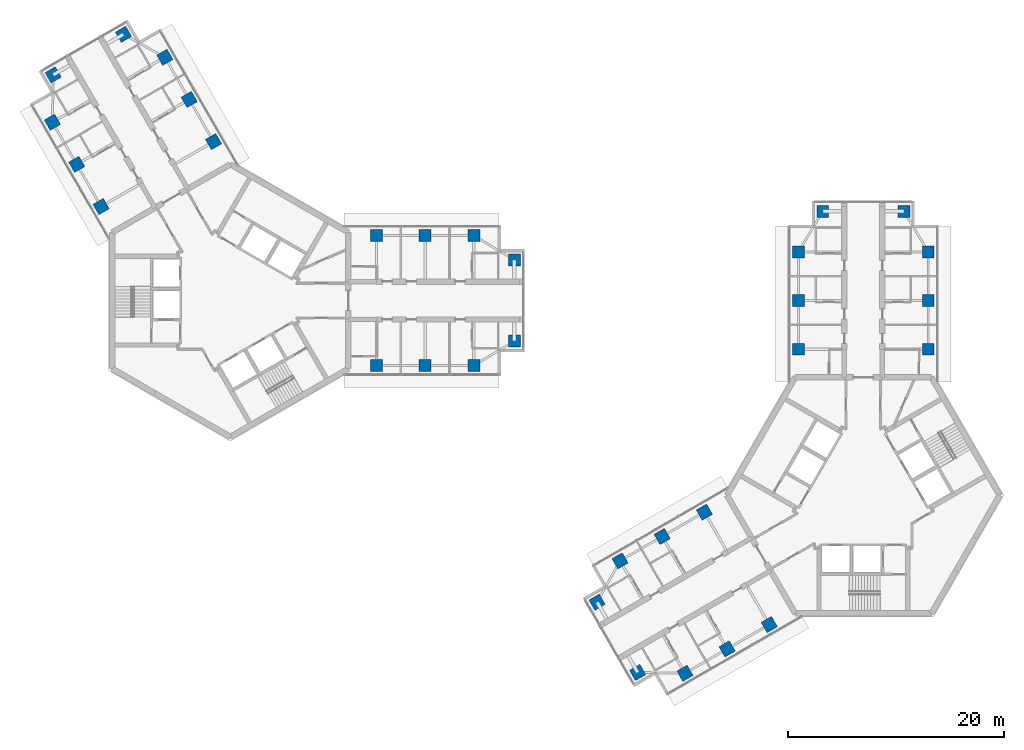
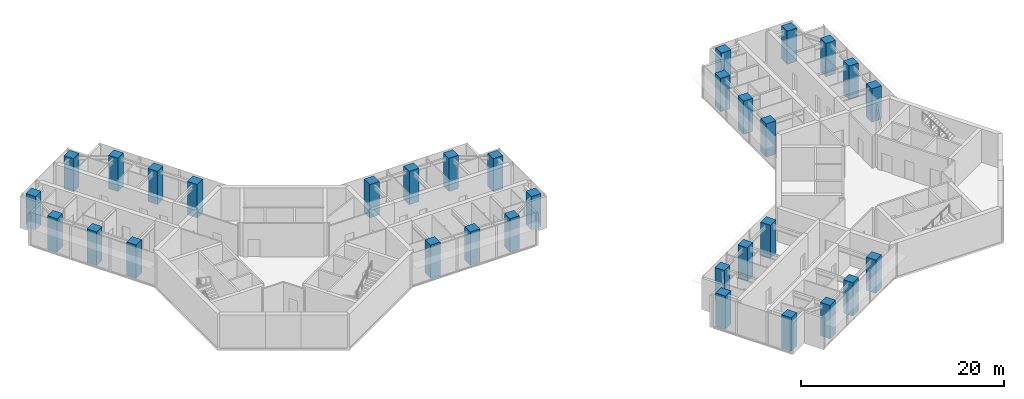
# One storey, part 1 of 18: 32 columns.
"""IFC4 building model written with IfcOpenShell, lengths in metres."""

from ifc_helpers import new_model, si_unit, direction, frame, origin, origin_2d, place, context, subcontext, project, spatial, rectangle, extrude, material, material_profile, profile_set, type_object, element, save


model = new_model("IFC4")

# Units and contexts
model_context = context("Model", 3, precision=1e-05, world=origin(), true_north=direction((0.0, 1.0)))
body_context = subcontext(model_context, "Body", "Model", "MODEL_VIEW")
ifc_project = project(units=[si_unit("LENGTHUNIT", "METRE"), si_unit("AREAUNIT", "SQUARE_METRE"), si_unit("VOLUMEUNIT", "CUBIC_METRE"), si_unit("PLANEANGLEUNIT", "RADIAN"), si_unit("MASSUNIT", "GRAM", prefix="KILO")], contexts=[model_context])

# Site, building, storey
site_placement = place(None, origin())
site = spatial("IfcSite", under=ifc_project, at=site_placement, CompositionType="ELEMENT")
building_placement = place(site_placement, origin())
building = spatial("IfcBuilding", under=site, at=building_placement, Name="Upepo Twin Towers", CompositionType="ELEMENT")
storey_placement = place(building_placement, frame((0.0, 0.0, 222.5)))
storey = spatial("IfcBuildingStorey", under=building, at=storey_placement, Name="L54", CompositionType="ELEMENT", Elevation=222.5)

# Columns
ifc_material = material(Name="Concrete C60/75", Category="concrete")
ifc_material_profile = material_profile(ifc_material, rectangle(XDim=1.10009765625, YDim=1.10009765625, at=origin_2d()), Name="RC 1100x1100")
ifc_profile_set = profile_set([ifc_material_profile], Name="Concrete C60/75")
column_type = type_object("IfcColumnType", Name="Tower column RC 1100x1100", PredefinedType="COLUMN", material=ifc_profile_set)
for number, where, z_axis, x_axis, name in (
    (1, (13.5, 6.0, 0.0), (0.0, 0.0, 1.0), (1.0, 0.0, 0.0), "T1 column AL135"),
    (2, (13.5, -6.0, 0.0), (0.0, 0.0, 1.0), (1.0, 0.0, 0.0), "T1 column AR135"),
    (3, (18.0, 6.0, 0.0), (0.0, 0.0, 1.0), (1.0, 0.0, 0.0), "T1 column AL180"),
    (4, (18.0, -6.0, 0.0), (0.0, 0.0, 1.0), (1.0, 0.0, 0.0), "T1 column AR180"),
    (5, (22.5, 6.0, 0.0), (0.0, 0.0, 1.0), (1.0, 0.0, 0.0), "T1 column AL225"),
    (6, (22.5, -6.0, 0.0), (0.0, 0.0, 1.0), (1.0, 0.0, 0.0), "T1 column AR225"),
    (7, (26.25, 3.75, 0.0), (0.0, 0.0, 1.0), (1.0, 0.0, 0.0), "T1 column ALN"),
    (8, (26.25, -3.75, 0.0), (0.0, 0.0, 1.0), (1.0, 0.0, 0.0), "T1 column ARN"),
    (9, (-11.946044921875, 8.69140625, 0.0), (0.0, 0.0, 1.0), (0.866025403784, 0.5, 0.0), "T1 column BL135"),
    (10, (-1.553955078125, 14.69140625, 0.0), (0.0, 0.0, 1.0), (0.866025403784, 0.5, 0.0), "T1 column BR135"),
    (11, (-14.196044921875, 12.58837890625, 0.0), (0.0, 0.0, 1.0), (0.866025403784, 0.5, 0.0), "T1 column BL180"),
    (12, (-3.803955078125, 18.58837890625, 0.0), (0.0, 0.0, 1.0), (0.866025403784, 0.5, 0.0), "T1 column BR180"),
    (13, (-16.446044921875, 16.485595703125, 0.0), (0.0, 0.0, 1.0), (0.866025403784, 0.5, 0.0), "T1 column BL225"),
    (14, (-6.053955078125, 22.485595703125, 0.0), (0.0, 0.0, 1.0), (0.866025403784, 0.5, 0.0), "T1 column BR225"),
    (15, (-16.37255859375, 20.858154296875, 0.0), (0.0, 0.0, 1.0), (0.866025403784, 0.5, 0.0), "T1 column BLN"),
    (16, (-9.87744140625, 24.608154296875, 0.0), (0.0, 0.0, 1.0), (0.866025403784, 0.5, 0.0), "T1 column BRN"),
    (17, (52.5, -4.5, 0.0), (0.0, 0.0, 1.0), (1.0, 0.0, 0.0), "T2 column AL135"),
    (18, (64.5, -4.5, 0.0), (0.0, 0.0, 1.0), (1.0, 0.0, 0.0), "T2 column AR135"),
    (19, (52.5, 0.0, 0.0), (0.0, 0.0, 1.0), (1.0, 0.0, 0.0), "T2 column AL180"),
    (20, (64.5, 0.0, 0.0), (0.0, 0.0, 1.0), (1.0, 0.0, 0.0), "T2 column AR180"),
    (21, (52.5, 4.5, 0.0), (0.0, 0.0, 1.0), (1.0, 0.0, 0.0), "T2 column AL225"),
    (22, (64.5, 4.5, 0.0), (0.0, 0.0, 1.0), (1.0, 0.0, 0.0), "T2 column AR225"),
    (23, (54.75, 8.25, 0.0), (0.0, 0.0, 1.0), (1.0, 0.0, 0.0), "T2 column ALN"),
    (24, (62.25, 8.25, 0.0), (0.0, 0.0, 1.0), (1.0, 0.0, 0.0), "T2 column ARN"),
    (25, (49.80859375, -29.946044921875, 0.0), (0.0, 0.0, 1.0), (0.866025403784, 0.5, 0.0), "T2 column BL135"),
    (26, (43.80859375, -19.553955078125, 0.0), (0.0, 0.0, 1.0), (0.866025403784, 0.5, 0.0), "T2 column BR135"),
    (27, (45.91162109375, -32.196044921875, 0.0), (0.0, 0.0, 1.0), (0.866025403784, 0.5, 0.0), "T2 column BL180"),
    (28, (39.91162109375, -21.803955078125, 0.0), (0.0, 0.0, 1.0), (0.866025403784, 0.5, 0.0), "T2 column BR180"),
    (29, (42.014404296875, -34.446044921875, 0.0), (0.0, 0.0, 1.0), (0.866025403784, 0.5, 0.0), "T2 column BL225"),
    (30, (36.014404296875, -24.053955078125, 0.0), (0.0, 0.0, 1.0), (0.866025403784, 0.5, 0.0), "T2 column BR225"),
    (31, (37.641845703125, -34.37255859375, 0.0), (0.0, 0.0, 1.0), (0.866025403784, 0.5, 0.0), "T2 column BLN"),
    (32, (33.891845703125, -27.87744140625, 0.0), (0.0, 0.0, 1.0), (0.866025403784, 0.5, 0.0), "T2 column BRN"),
):
    element("IfcColumn", number, at=place(storey_placement, frame(where, z_axis=z_axis, x_axis=x_axis)), inside=storey, type_object=column_type, Name=name, PredefinedType="COLUMN", context=body_context, shape_type="SweptSolid", body=[
        extrude(rectangle(XDim=1.10009765625, YDim=1.10009765625, at=origin_2d()), origin(), (0.0, 0.0, 1.0), 4.0),
    ])

save(model, "model.ifc")
